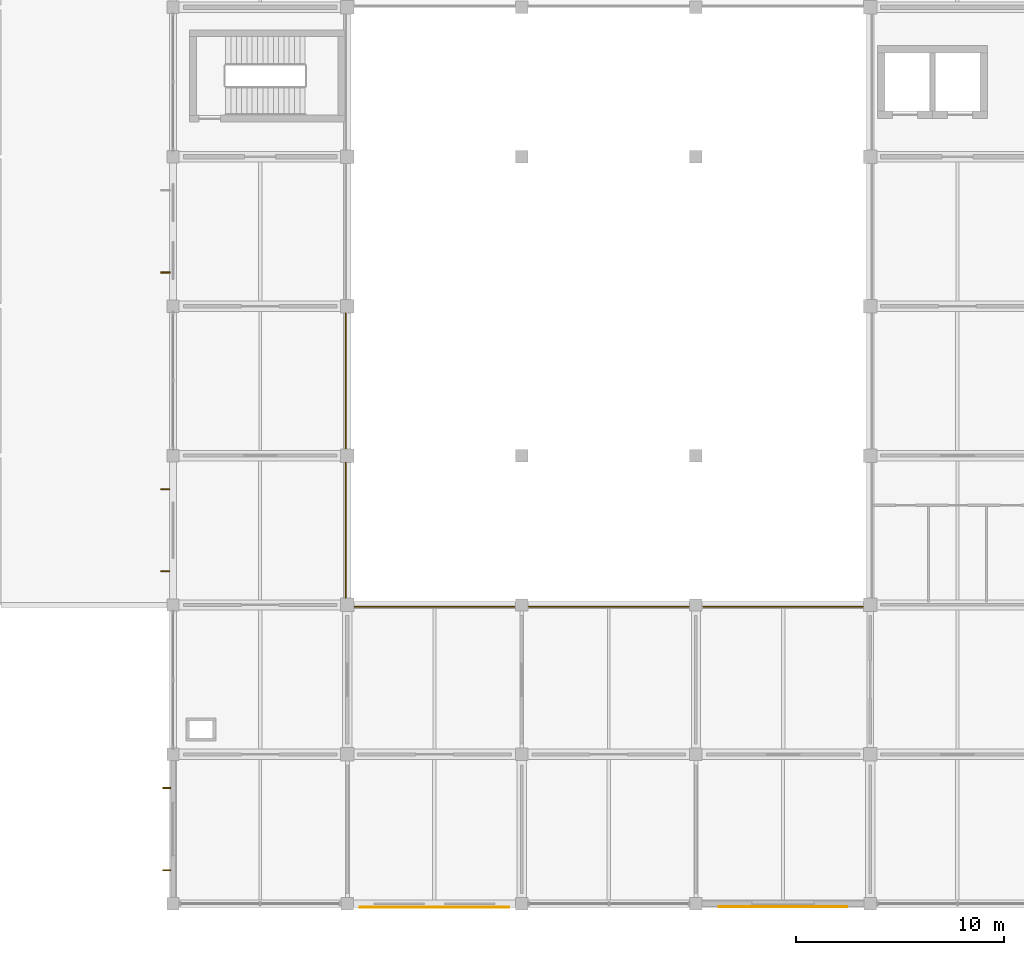
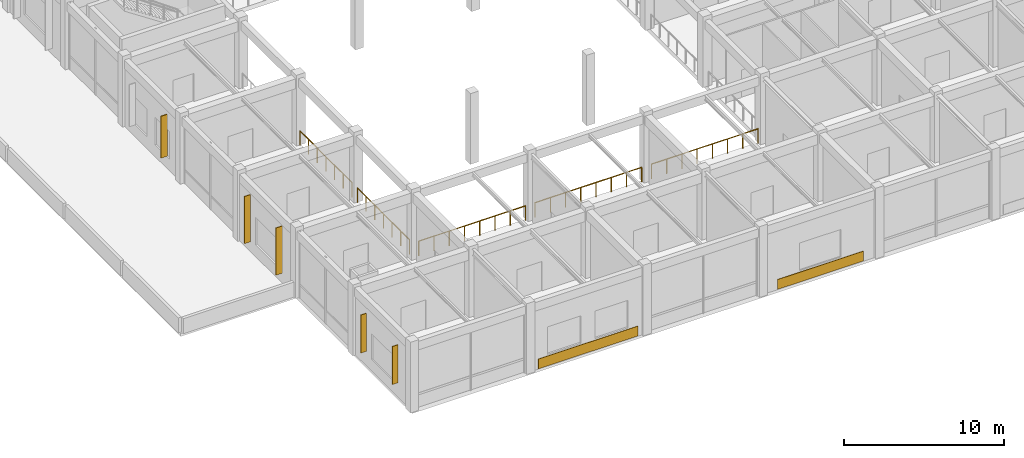
# One storey, part 32 of 38: 5 railings, 5 shading devices, 2 coverings.
"""IFC4 building model written with IfcOpenShell, lengths in metres."""

import ifcopenshell
import ifcopenshell.guid

model = None  # the IFC model being written
_history = None  # IfcOwnerHistory: only IFC2X3 demands one
_inside = {}  # id of a spatial element -> (the spatial element, [elements in it])
_under = {}  # id of a project, library or spatial element -> (it, [spatial elements below it])
_declared = {}  # id of a project -> (the project, [libraries it declares])
_typed = {}  # id of a type object -> (the type object, [elements of that type])
_made_of = {}  # id of a material, layer set ... -> (it, [elements and type objects made of it])


def new_model(schema):
    """Start an empty IFC model of exactly this schema.

    Asked for "IFC4X3", IfcOpenShell would pick the latest addendum, in which some entities
    have other attributes; the version numbers below select the first issue.
    IFC2X3 requires an IfcOwnerHistory on every rooted entity: one is made here for all.
    """
    global model, _history
    if schema == "IFC4X3":
        model = ifcopenshell.file(schema_version=(4, 3, 0, 0))
    else:
        model = ifcopenshell.file(schema=schema)
    _inside.clear()
    _under.clear()
    _declared.clear()
    _typed.clear()
    _made_of.clear()
    _history = None
    if model.schema == "IFC2X3":
        org = make("IfcOrganization", Name="unknown")
        user = make(
            "IfcPersonAndOrganization",
            ThePerson=make("IfcPerson", FamilyName="unknown"),
            TheOrganization=org,
        )
        app = make(
            "IfcApplication",
            ApplicationDeveloper=org,
            Version="unknown",
            ApplicationFullName="unknown",
            ApplicationIdentifier="unknown",
        )
        _history = make(
            "IfcOwnerHistory",
            OwningUser=user,
            OwningApplication=app,
            ChangeAction="ADDED",
            CreationDate=0,
        )
    return model


def make(cls, **values):
    """One entity of the class cls with the attributes given. An attribute that is None is left unset."""
    return model.create_entity(
        cls, **{name: value for name, value in values.items() if value is not None}
    )


def rooted(cls, **values):
    """An entity with a GlobalId (a new one), such as an element, a storey or a relation."""
    return make(cls, GlobalId=ifcopenshell.guid.new(), OwnerHistory=_history, **values)


def si_unit(unit_type, name, prefix=None):
    """IfcSIUnit, for example si_unit("LENGTHUNIT", "METRE", prefix="MILLI")."""
    return make("IfcSIUnit", UnitType=unit_type, Prefix=prefix, Name=name)


def derived_unit(unit_type, elements):
    """IfcDerivedUnit: a product of units, each with its exponent."""
    return make(
        "IfcDerivedUnit",
        Elements=[
            make("IfcDerivedUnitElement", Unit=unit, Exponent=power)
            for unit, power in elements
        ],
        UnitType=unit_type,
    )


def assignment(units):
    """IfcUnitAssignment: the units of a project."""
    return None if units is None else make("IfcUnitAssignment", Units=units)


def point(xyz):
    """IfcCartesianPoint."""
    return None if xyz is None else make("IfcCartesianPoint", Coordinates=xyz)


def direction(xyz):
    """IfcDirection."""
    return None if xyz is None else make("IfcDirection", DirectionRatios=xyz)


def frame(location, z_axis=None, x_axis=None):
    """IfcAxis2Placement3D, a coordinate frame: its origin and axes. An axis left out is left unset."""
    return make(
        "IfcAxis2Placement3D",
        Location=point(location),
        Axis=direction(z_axis),
        RefDirection=direction(x_axis),
    )


def frame_2d(location, x_axis=None):
    """IfcAxis2Placement2D, a coordinate frame in the plane: its origin and x axis."""
    return make(
        "IfcAxis2Placement2D", Location=point(location), RefDirection=direction(x_axis)
    )


def origin():
    """The frame at (0, 0, 0) with its axes left unset."""
    return frame((0.0, 0.0, 0.0))


def origin_2d():
    """The frame at (0, 0) in the plane with its x axis left unset."""
    return frame_2d((0.0, 0.0))


def place(relative_to, where):
    """IfcLocalPlacement: puts the frame where relative to a parent placement (None: the world)."""
    return make(
        "IfcLocalPlacement", PlacementRelTo=relative_to, RelativePlacement=where
    )


def context(
    kind, dimensions, precision=None, world=None, true_north=None, identifier=None
):
    """IfcGeometricRepresentationContext, for example the 3D "Model" context."""
    return make(
        "IfcGeometricRepresentationContext",
        ContextIdentifier=identifier,
        ContextType=kind,
        CoordinateSpaceDimension=dimensions,
        Precision=precision,
        WorldCoordinateSystem=world,
        TrueNorth=true_north,
    )


def subcontext(parent, identifier, kind, view, scale=None):
    """IfcGeometricRepresentationSubContext, for example "Body" below "Model"."""
    return make(
        "IfcGeometricRepresentationSubContext",
        ContextIdentifier=identifier,
        ContextType=kind,
        ParentContext=parent,
        TargetScale=scale,
        TargetView=view,
    )


def project(units=None, contexts=None):
    """IfcProject with its units and contexts."""
    return rooted(
        "IfcProject",
        Name="project",
        RepresentationContexts=contexts,
        UnitsInContext=assignment(units),
    )


def spatial(cls, under=None, at=None, **own):
    """A site, building, storey or space (cls), placed at a placement, below another one or the project."""
    s = rooted(cls, ObjectPlacement=at, **own)
    if under is not None:
        _under.setdefault(under.id(), (under, []))[1].append(s)
    return s


def profile(cls, at=None, kind="AREA", **sizes):
    """A parametric profile (cls). Its sizes go by their IFC names, for example OverallWidth=200.0."""
    return make(cls, ProfileType=kind, Position=at, **sizes)


def rectangle(**sizes):
    """IfcRectangleProfileDef."""
    return profile("IfcRectangleProfileDef", **sizes)


def circle(**sizes):
    """IfcCircleProfileDef."""
    return profile("IfcCircleProfileDef", **sizes)


def extrude(swept, where, along, depth):
    """IfcExtrudedAreaSolid: the profile swept, set in the frame where, extruded along a direction by depth."""
    return make(
        "IfcExtrudedAreaSolid",
        SweptArea=swept,
        Position=where,
        ExtrudedDirection=direction(along),
        Depth=depth,
    )


def shape(context_of_items, identifier, shape_type, items):
    """IfcShapeRepresentation: the items that make up one representation, for example the "Body"."""
    return make(
        "IfcShapeRepresentation",
        ContextOfItems=context_of_items,
        RepresentationIdentifier=identifier,
        RepresentationType=shape_type,
        Items=items,
    )


def material(Name=None, Category=None):
    """IfcMaterial."""
    return make("IfcMaterial", Name=Name, Category=Category)


def layer(
    of_material, thickness, ventilated=None, Name=None, Category=None, Priority=None
):
    """IfcMaterialLayer: one layer of a wall or slab, of a material (None: an air gap)."""
    return make(
        "IfcMaterialLayer",
        Material=of_material,
        LayerThickness=thickness,
        IsVentilated=ventilated,
        Name=Name,
        Category=Category,
        Priority=Priority,
    )


def layer_set(layers, Name=None):
    """IfcMaterialLayerSet."""
    return make("IfcMaterialLayerSet", MaterialLayers=layers, LayerSetName=Name)


def made_of(thing, what):
    """Note that an element or type object is made of a material, layer set ...; save() writes the relation."""
    if what is not None:
        _made_of.setdefault(what.id(), (what, []))[1].append(thing)
    return thing


def type_object(cls, material=None, **own):
    """A type object (cls), such as IfcWallType, which elements share."""
    return made_of(rooted(cls, **own), material)


def element(
    cls,
    number,
    at=None,
    inside=None,
    cuts=None,
    type_object=None,
    material=None,
    context=None,
    identifier="Body",
    shape_type=None,
    held_by="IfcProductDefinitionShape",
    body=None,
    shapes=None,
    **own,
):
    """One element of the class cls, such as IfcWall. Its Tag is "e" and its number.

    at: its placement. inside: the storey or other place that contains it. cuts: it is an
    opening in that element (IfcRelVoidsElement). A single representation is given by context,
    identifier, shape_type and body (its items); several are given by shapes. held_by: the class
    of the entity that holds the representations. save() writes the other relations.
    """
    e = rooted(cls, Tag="e%d" % number, ObjectPlacement=at, **own)
    if body is not None:
        shapes = [shape(context, identifier, shape_type, body)]
    if shapes is not None:
        e.Representation = make(held_by, Representations=shapes)
    if inside is not None:
        _inside.setdefault(inside.id(), (inside, []))[1].append(e)
    if cuts is not None:
        rooted(
            "IfcRelVoidsElement", RelatingBuildingElement=cuts, RelatedOpeningElement=e
        )
    if type_object is not None:
        _typed.setdefault(type_object.id(), (type_object, []))[1].append(e)
    return made_of(e, material)


def aggregate(whole, parts):
    """IfcRelAggregates: a whole, such as a stair, and the parts it consists of."""
    return rooted("IfcRelAggregates", RelatingObject=whole, RelatedObjects=parts)


def save(model, path):
    """Write the relations noted so far, then the file.

    IfcRelAggregates (storeys below a building ...), IfcRelContainedInSpatialStructure (elements
    in a storey), IfcRelDefinesByType, IfcRelAssociatesMaterial and IfcRelDeclares: one each for
    every whole, place, type object, material and project.
    """
    for whole, parts in _under.values():
        aggregate(whole, parts)
    for where, things in _inside.values():
        rooted(
            "IfcRelContainedInSpatialStructure",
            RelatedElements=things,
            RelatingStructure=where,
        )
    for kind, things in _typed.values():
        rooted("IfcRelDefinesByType", RelatedObjects=things, RelatingType=kind)
    for what, things in _made_of.values():
        rooted("IfcRelAssociatesMaterial", RelatedObjects=things, RelatingMaterial=what)
    for by, libraries in _declared.values():
        rooted("IfcRelDeclares", RelatingContext=by, RelatedDefinitions=libraries)
    model.write(path)


model = new_model("IFC4")

# Units and contexts
model_context = context("Model", 3, precision=1e-05, world=origin(), true_north=direction((0.0, 1.0)))
body_context = subcontext(model_context, "Body", "Model", "MODEL_VIEW")
ifc_project = project(units=[si_unit("LENGTHUNIT", "METRE"), si_unit("AREAUNIT", "SQUARE_METRE"), si_unit("VOLUMEUNIT", "CUBIC_METRE"), si_unit("PLANEANGLEUNIT", "RADIAN"), si_unit("MASSUNIT", "GRAM", prefix="KILO"), derived_unit("THERMALTRANSMITTANCEUNIT", [(si_unit("MASSUNIT", "GRAM", prefix="KILO"), 1), (si_unit("TIMEUNIT", "SECOND"), -3), (si_unit("THERMODYNAMICTEMPERATUREUNIT", "KELVIN"), -1)])], contexts=[model_context])

# Site, building, storey
site_placement = place(None, origin())
site = spatial("IfcSite", under=ifc_project, at=site_placement, CompositionType="ELEMENT")
building_placement = place(site_placement, origin())
building = spatial("IfcBuilding", under=site, at=building_placement, Name="Veldstrom Oceanarium and Marine Research Institute", CompositionType="ELEMENT")
storey_placement = place(building_placement, frame((0.0, 0.0, 11.39990234375)))
storey = spatial("IfcBuildingStorey", under=building, at=storey_placement, Name="L02", CompositionType="ELEMENT", Elevation=11.39990234375)

# Coverings
ifc_material_1 = material(Name="Anodised Aluminium Spandrel Rainscreen Cladding", Category="aluminium")
ifc_layer_1 = layer(ifc_material_1, 0.75)
ifc_layer_set_1 = layer_set([ifc_layer_1], Name="ARC-COV-CD1")
covering_type_1 = type_object("IfcCoveringType", Name="ARC-COV-CD1", PredefinedType="CLADDING", material=ifc_layer_set_1)
covering_1_placement = place(storey_placement, frame((21.0, -0.16845703125, 0.045166015625), z_axis=(0.0, 0.0, 1.0), x_axis=(1.0, 0.0, 0.0)))
element("IfcCovering", 1, at=covering_1_placement, inside=storey, type_object=covering_type_1, Name="Spandrel Rainscreen Cladding L02-068", PredefinedType="CLADDING", context=body_context, shape_type="SweptSolid", body=[
    extrude(rectangle(XDim=7.199951171875, YDim=0.034912109375, at=origin_2d()), origin(), (0.0, 0.0, 1.0), 0.75),
])
ifc_material_2 = material(Name="Terracotta Spandrel Rainscreen Cladding", Category="masonry")
ifc_layer_2 = layer(ifc_material_2, 0.75)
ifc_layer_set_2 = layer_set([ifc_layer_2], Name="ARC-COV-CD2")
covering_type_2 = type_object("IfcCoveringType", Name="ARC-COV-CD2", PredefinedType="CLADDING", material=ifc_layer_set_2)
covering_2_placement = place(storey_placement, frame((37.800048828125, -0.14111328125, 0.045166015625), z_axis=(0.0, 0.0, 1.0), x_axis=(1.0, 0.0, 0.0)))
element("IfcCovering", 2, at=covering_2_placement, inside=storey, type_object=covering_type_2, Name="Spandrel Rainscreen Cladding L02-069", PredefinedType="CLADDING", context=body_context, shape_type="SweptSolid", body=[
    extrude(rectangle(XDim=6.199951171875, YDim=0.0400390625, at=origin_2d()), origin(), (0.0, 0.0, 1.0), 0.75),
])

# Railings
ifc_material_3 = material(Name="Duplex Stainless Steel Balustrade", Category="steel")
ifc_layer_3 = layer(ifc_material_3, 0.06005859375)
ifc_layer_set_3 = layer_set([ifc_layer_3], Name="ARC-RLG-GR1")
railing_type = type_object("IfcRailingType", Name="ARC-RLG-GR1", PredefinedType="GUARDRAIL", material=ifc_layer_set_3)
for number, where, name in (
    (3, (16.719970703125, 14.75, 0.0), "Atrium Overlook Guardrail GR-ATR-L02-06"),
    (4, (16.719970703125, 21.949951171875, 0.0), "Atrium Overlook Guardrail GR-ATR-L02-07"),
):
    element("IfcRailing", number, at=place(storey_placement, frame(where)), inside=storey, type_object=railing_type, Name=name, PredefinedType="GUARDRAIL", context=body_context, shape_type="SweptSolid", body=[
        extrude(circle(Radius=0.02392578125, at=origin_2d()), frame((0.0, 0.0, 1.09619140625), z_axis=(0.0, 1.0, 0.0), x_axis=(-1.0, 0.0, 0.0)), (0.0, 0.0, 1.0), 6.5),
        extrude(circle(Radius=0.02099609375, at=origin_2d()), origin(), (0.0, 0.0, 1.0), 1.072021484375),
        extrude(circle(Radius=0.02099609375, at=origin_2d()), frame((0.0, 1.083251953125, 0.0)), (0.0, 0.0, 1.0), 1.072021484375),
        extrude(circle(Radius=0.02099609375, at=origin_2d()), frame((0.0, 2.166748046875, 0.0)), (0.0, 0.0, 1.0), 1.072021484375),
        extrude(circle(Radius=0.02099609375, at=origin_2d()), frame((0.0, 3.25, 0.0)), (0.0, 0.0, 1.0), 1.072021484375),
        extrude(circle(Radius=0.02099609375, at=origin_2d()), frame((0.0, 4.333251953125, 0.0)), (0.0, 0.0, 1.0), 1.072021484375),
        extrude(circle(Radius=0.02099609375, at=origin_2d()), frame((0.0, 5.416748046875, 0.0)), (0.0, 0.0, 1.0), 1.072021484375),
        extrude(circle(Radius=0.02099609375, at=origin_2d()), frame((0.0, 6.5, 0.0)), (0.0, 0.0, 1.0), 1.072021484375),
    ])
railing_placement = place(storey_placement, frame((17.14990234375, 14.320068359375, 0.0)))
element("IfcRailing", 5, at=railing_placement, inside=storey, type_object=railing_type, Name="Atrium Overlook Guardrail GR-ATR-L02-10", PredefinedType="GUARDRAIL", context=body_context, shape_type="SweptSolid", body=[
    extrude(circle(Radius=0.02392578125, at=origin_2d()), frame((0.0, 0.0, 1.09619140625), z_axis=(1.0, 0.0, 0.0), x_axis=(0.0, 1.0, 0.0)), (0.0, 0.0, 1.0), 7.7001953125),
    extrude(circle(Radius=0.02099609375, at=origin_2d()), origin(), (0.0, 0.0, 1.0), 1.072021484375),
    extrude(circle(Radius=0.02099609375, at=origin_2d()), frame((1.10009765625, 0.0, 0.0)), (0.0, 0.0, 1.0), 1.072021484375),
    extrude(circle(Radius=0.02099609375, at=origin_2d()), frame((2.199951171875, 0.0, 0.0)), (0.0, 0.0, 1.0), 1.072021484375),
    extrude(circle(Radius=0.02099609375, at=origin_2d()), frame((3.300048828125, 0.0, 0.0)), (0.0, 0.0, 1.0), 1.072021484375),
    extrude(circle(Radius=0.02099609375, at=origin_2d()), frame((4.400146484375, 0.0, 0.0)), (0.0, 0.0, 1.0), 1.072021484375),
    extrude(circle(Radius=0.02099609375, at=origin_2d()), frame((5.500244140625, 0.0, 0.0)), (0.0, 0.0, 1.0), 1.072021484375),
    extrude(circle(Radius=0.02099609375, at=origin_2d()), frame((6.60009765625, 0.0, 0.0)), (0.0, 0.0, 1.0), 1.072021484375),
    extrude(circle(Radius=0.02099609375, at=origin_2d()), frame((7.7001953125, 0.0, 0.0)), (0.0, 0.0, 1.0), 1.072021484375),
])
for number, where, name in (
    (6, (25.550048828125, 14.320068359375, 0.0), "Atrium Overlook Guardrail GR-ATR-L02-12"),
    (7, (33.949951171875, 14.320068359375, 0.0), "Atrium Overlook Guardrail GR-ATR-L02-14"),
):
    element("IfcRailing", number, at=place(storey_placement, frame(where)), inside=storey, type_object=railing_type, Name=name, PredefinedType="GUARDRAIL", context=body_context, shape_type="SweptSolid", body=[
        extrude(circle(Radius=0.02392578125, at=origin_2d()), frame((0.0, 0.0, 1.09619140625), z_axis=(1.0, 0.0, 0.0), x_axis=(0.0, 1.0, 0.0)), (0.0, 0.0, 1.0), 7.699951171875),
        extrude(circle(Radius=0.02099609375, at=origin_2d()), origin(), (0.0, 0.0, 1.0), 1.072021484375),
        extrude(circle(Radius=0.02099609375, at=origin_2d()), frame((1.10009765625, 0.0, 0.0)), (0.0, 0.0, 1.0), 1.072021484375),
        extrude(circle(Radius=0.02099609375, at=origin_2d()), frame((2.199951171875, 0.0, 0.0)), (0.0, 0.0, 1.0), 1.072021484375),
        extrude(circle(Radius=0.02099609375, at=origin_2d()), frame((3.300048828125, 0.0, 0.0)), (0.0, 0.0, 1.0), 1.072021484375),
        extrude(circle(Radius=0.02099609375, at=origin_2d()), frame((4.39990234375, 0.0, 0.0)), (0.0, 0.0, 1.0), 1.072021484375),
        extrude(circle(Radius=0.02099609375, at=origin_2d()), frame((5.5, 0.0, 0.0)), (0.0, 0.0, 1.0), 1.072021484375),
        extrude(circle(Radius=0.02099609375, at=origin_2d()), frame((6.599853515625, 0.0, 0.0)), (0.0, 0.0, 1.0), 1.072021484375),
        extrude(circle(Radius=0.02099609375, at=origin_2d()), frame((7.699951171875, 0.0, 0.0)), (0.0, 0.0, 1.0), 1.072021484375),
    ])

# Shading devices
ifc_material_4 = material(Name="Precast Terracotta Brise-Soleil Louvre", Category="masonry")
ifc_layer_4 = layer(ifc_material_4, 3.60009765625)
ifc_layer_set_4 = layer_set([ifc_layer_4], Name="ARC-SHD-BS01")
shading_device_type_1 = type_object("IfcShadingDeviceType", Name="ARC-SHD-BS01", PredefinedType="JALOUSIE", material=ifc_layer_set_4)
for number, where, z_axis, x_axis, name in (
    (8, (8.02490234375, 16.02001953125, 0.75), (0.0, 0.0, 1.0), (1.0, 0.0, 0.0), "Terracotta Brise-Soleil Louvre L02-064"),
    (9, (8.02490234375, 19.97998046875, 0.75), (0.0, 0.0, 1.0), (1.0, 0.0, 0.0), "Terracotta Brise-Soleil Louvre L02-064"),
):
    element("IfcShadingDevice", number, at=place(storey_placement, frame(where, z_axis=z_axis, x_axis=x_axis)), inside=storey, type_object=shading_device_type_1, Name=name, PredefinedType="JALOUSIE", context=body_context, shape_type="SweptSolid", body=[
        extrude(rectangle(XDim=0.449951171875, YDim=0.06005859375, at=origin_2d()), origin(), (0.0, 0.0, 1.0), 3.60009765625),
    ])
ifc_material_5 = material(Name="Precast Terracotta Brise-Soleil Louvre", Category="masonry")
ifc_layer_5 = layer(ifc_material_5, 3.199951171875)
ifc_layer_set_5 = layer_set([ifc_layer_5], Name="ARC-SHD-BS02")
shading_device_type_2 = type_object("IfcShadingDeviceType", Name="ARC-SHD-BS02", PredefinedType="JALOUSIE", material=ifc_layer_set_5)
shading_device_placement = place(storey_placement, frame((8.034912109375, 30.419921875, 0.9501953125), z_axis=(0.0, 0.0, 1.0), x_axis=(1.0, 0.0, 0.0)))
element("IfcShadingDevice", 10, at=shading_device_placement, inside=storey, type_object=shading_device_type_2, Name="Terracotta Brise-Soleil Louvre L02-065", PredefinedType="JALOUSIE", context=body_context, shape_type="SweptSolid", body=[
    extrude(rectangle(XDim=0.449951171875, YDim=0.06005859375, at=origin_2d()), origin(), (0.0, 0.0, 1.0), 3.199951171875),
])
ifc_material_6 = material(Name="Precast Terracotta Brise-Soleil Louvre", Category="masonry")
ifc_layer_6 = layer(ifc_material_6, 2.89990234375)
ifc_layer_set_6 = layer_set([ifc_layer_6], Name="ARC-SHD-BS04")
shading_device_type_3 = type_object("IfcShadingDeviceType", Name="ARC-SHD-BS04", PredefinedType="JALOUSIE", material=ifc_layer_set_6)
for number, where, z_axis, x_axis, name in (
    (11, (8.097412109375, 1.6201171875, 1.10009765625), (0.0, 0.0, 1.0), (1.0, 0.0, 0.0), "Terracotta Brise-Soleil Louvre L02-063"),
    (12, (8.097412109375, 5.580078125, 1.10009765625), (0.0, 0.0, 1.0), (1.0, 0.0, 0.0), "Terracotta Brise-Soleil Louvre L02-063"),
):
    element("IfcShadingDevice", number, at=place(storey_placement, frame(where, z_axis=z_axis, x_axis=x_axis)), inside=storey, type_object=shading_device_type_3, Name=name, PredefinedType="JALOUSIE", context=body_context, shape_type="SweptSolid", body=[
        extrude(rectangle(XDim=0.39990234375, YDim=0.054931640625, at=origin_2d()), origin(), (0.0, 0.0, 1.0), 2.89990234375),
    ])

save(model, "model.ifc")
